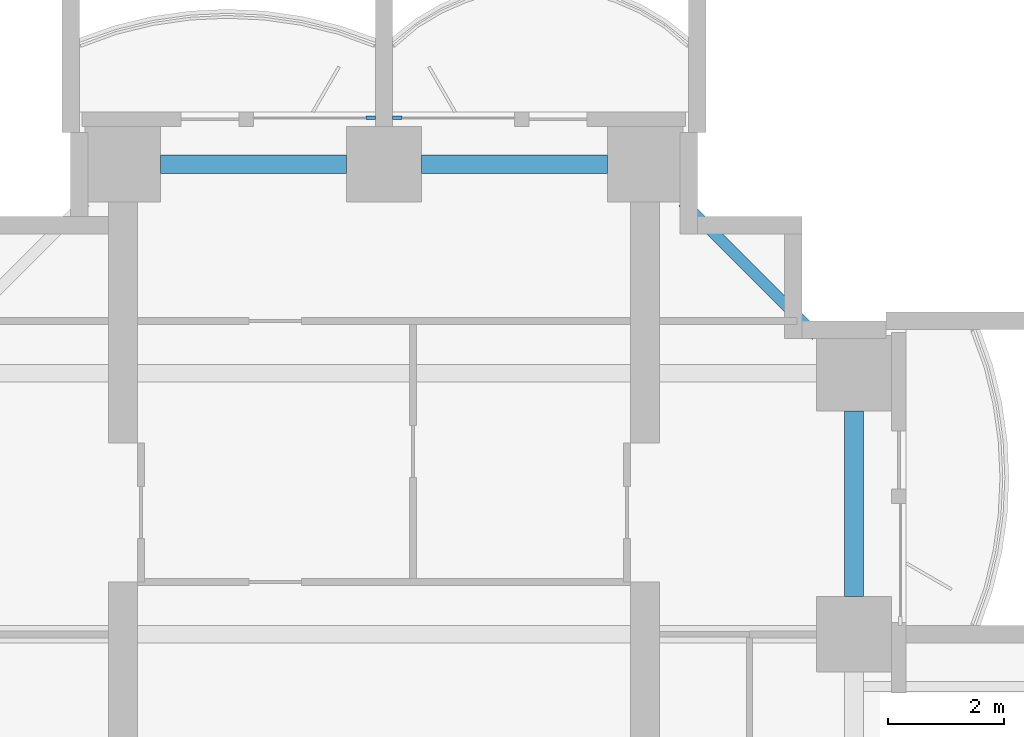
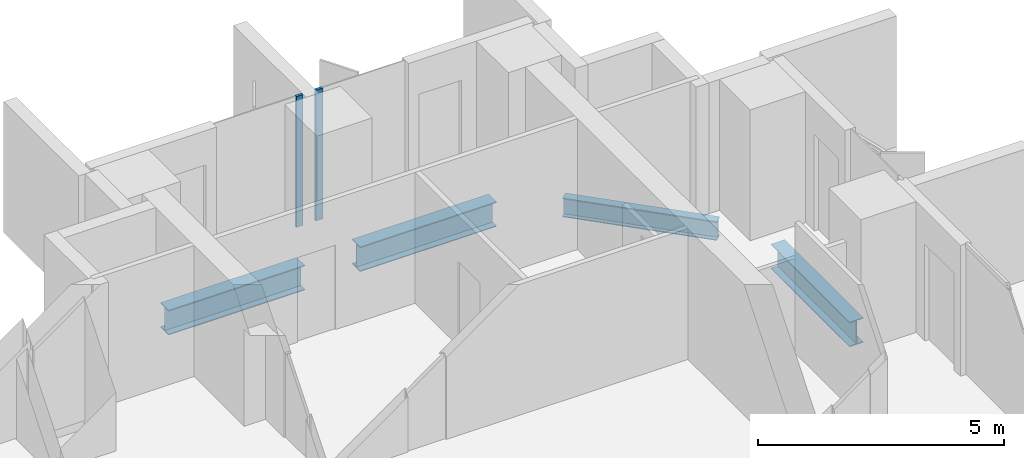
# One storey, part 7 of 20: 4 beams, 2 members, 2 elements without a shape of their own.
"""IFC4 building model written with IfcOpenShell, lengths in metres."""

from ifc_helpers import new_model, si_unit, direction, frame, origin, origin_2d, place, context, subcontext, project, spatial, rectangle, i_section, extrude, material, material_profile, profile_set, type_object, element, aggregate, save


model = new_model("IFC4")

# Units and contexts
model_context = context("Model", 3, precision=1e-05, world=origin(), true_north=direction((0.0, 1.0)))
body_context = subcontext(model_context, "Body", "Model", "MODEL_VIEW")
ifc_project = project(units=[si_unit("LENGTHUNIT", "METRE"), si_unit("AREAUNIT", "SQUARE_METRE"), si_unit("VOLUMEUNIT", "CUBIC_METRE"), si_unit("PLANEANGLEUNIT", "RADIAN"), si_unit("MASSUNIT", "GRAM", prefix="KILO")], contexts=[model_context])

# Site, building, storey
site_placement = place(None, origin())
site = spatial("IfcSite", under=ifc_project, at=site_placement, CompositionType="ELEMENT")
building_placement = place(site_placement, origin())
building = spatial("IfcBuilding", under=site, at=building_placement, Name="Perihelion Cross Residences", CompositionType="ELEMENT")
storey_placement = place(building_placement, frame((0.0, 0.0, 68.0)))
storey = spatial("IfcBuildingStorey", under=building, at=storey_placement, Name="L14", CompositionType="ELEMENT", Elevation=68.0)

# Curtain wall, member
ifc_material_1 = material(Name="Bronze anodised aluminium, tinted glazing", Category="aluminium")
curtain_wall_type = type_object("IfcCurtainWallType", Name="CW1", PredefinedType="NOTDEFINED", material=ifc_material_1)
curtain_wall_1_placement = place(storey_placement, origin())
curtain_wall_1 = element("IfcCurtainWall", 1, at=curtain_wall_1_placement, inside=storey, type_object=curtain_wall_type, Name="Curtain wall CW1 L14 north tip north bay 1", PredefinedType="NOTDEFINED")
ifc_material_2 = material(Name="Bronze anodised aluminium", Category="aluminium")
ifc_material_profile_1 = material_profile(ifc_material_2, rectangle(XDim=0.06005859375, YDim=0.159912109375, at=origin_2d()), Name="CW1 mullion")
ifc_profile_set_1 = profile_set([ifc_material_profile_1], Name="Bronze anodised aluminium")
member_type = type_object("IfcMemberType", Name="CW1 mullion", PredefinedType="MULLION", material=ifc_profile_set_1)
member_1_placement = place(storey_placement, frame((0.22998046875, 26.89990234375, 0.0), z_axis=(0.0, 0.0, 1.0), x_axis=(0.0, -1.0, 0.0)))
member_1 = element("IfcMember", 2, at=member_1_placement, type_object=member_type, Name="CW1 mullion 2", PredefinedType="MULLION", context=body_context, shape_type="SweptSolid", body=[
    extrude(rectangle(XDim=0.06005859375, YDim=0.159912109375, at=origin_2d()), origin(), (0.0, 0.0, 1.0), 3.25),
])
aggregate(curtain_wall_1, [member_1])

curtain_wall_2_placement = place(storey_placement, origin())
curtain_wall_2 = element("IfcCurtainWall", 3, at=curtain_wall_2_placement, inside=storey, type_object=curtain_wall_type, Name="Curtain wall CW1 L14 north tip north bay 2", PredefinedType="NOTDEFINED")
member_2_placement = place(storey_placement, frame((-0.22998046875, 26.89990234375, 0.0), z_axis=(0.0, 0.0, 1.0), x_axis=(0.0, -1.0, 0.0)))
member_2 = element("IfcMember", 4, at=member_2_placement, type_object=member_type, Name="CW1 mullion 1", PredefinedType="MULLION", context=body_context, shape_type="SweptSolid", body=[
    extrude(rectangle(XDim=0.06005859375, YDim=0.159912109375, at=origin_2d()), origin(), (0.0, 0.0, 1.0), 3.25),
])
aggregate(curtain_wall_2, [member_2])

# Beams
ifc_material_3 = material(Name="Steel S355", Category="steel")
ifc_material_profile_2 = material_profile(ifc_material_3, i_section(OverallWidth=0.324951171875, OverallDepth=0.616943359375, WebThickness=0.013916015625, FlangeThickness=0.021484375, at=origin_2d()), Name="W610x174")
ifc_profile_set_2 = profile_set([ifc_material_profile_2], Name="Steel S355")
beam_type_1 = type_object("IfcBeamType", Name="Edge beam W610x174", PredefinedType="SPANDREL", material=ifc_profile_set_2)
for number, where, z_axis, x_axis, name in (
    (5, (8.10009765625, 18.64990234375, -0.55859375), (0.0, 1.0, 0.0), (-1.0, 0.0, 0.0), "Edge beam SB2 L14 no. 19"),
    (6, (3.85009765625, 26.10009765625, -0.55859375), (-1.0, 0.0, 0.0), (0.0, -1.0, 0.0), "Edge beam SB2 L14 no. 15"),
    (7, (-0.64990234375, 26.10009765625, -0.55859375), (-1.0, 0.0, 0.0), (0.0, -1.0, 0.0), "Edge beam SB2 L14 no. 11"),
):
    element("IfcBeam", number, at=place(storey_placement, frame(where, z_axis=z_axis, x_axis=x_axis)), inside=storey, type_object=beam_type_1, Name=name, PredefinedType="SPANDREL", context=body_context, shape_type="SweptSolid", body=[
        extrude(i_section(OverallWidth=0.324951171875, OverallDepth=0.616943359375, WebThickness=0.013916015625, FlangeThickness=0.021484375, at=origin_2d()), origin(), (0.0, 0.0, 1.0), 3.2001953125),
    ])
ifc_material_4 = material(Name="Steel S355", Category="steel")
ifc_material_profile_3 = material_profile(ifc_material_4, i_section(OverallWidth=0.194091796875, OverallDepth=0.469970703125, WebThickness=0.0126953125, FlangeThickness=0.0205078125, at=origin_2d()), Name="W460x106")
ifc_profile_set_3 = profile_set([ifc_material_profile_3], Name="Steel S355")
beam_type_2 = type_object("IfcBeamType", Name="Serration edge beam W460x106", PredefinedType="BEAM", material=ifc_profile_set_3)
beam_placement = place(storey_placement, frame((7.449951171875, 23.14990234375, -0.485107421875), z_axis=(-0.707106781187, 0.707106781187, 0.0), x_axis=(-0.707106781187, -0.707106781187, 0.0)))
element("IfcBeam", 8, at=beam_placement, inside=storey, type_object=beam_type_2, Name="Serration edge beam EB2 L14 no. 4", PredefinedType="BEAM", context=body_context, shape_type="SweptSolid", body=[
    extrude(i_section(OverallWidth=0.194091796875, OverallDepth=0.469970703125, WebThickness=0.0126953125, FlangeThickness=0.0205078125, at=origin_2d()), origin(), (0.0, 0.0, 1.0), 3.252685546875),
])

save(model, "model.ifc")
